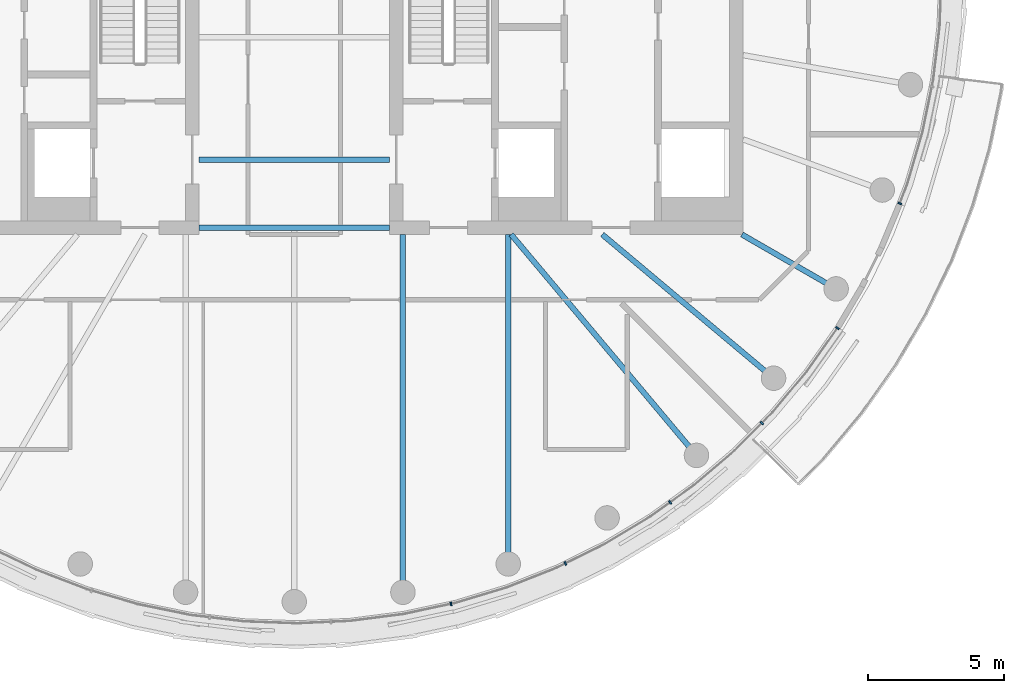
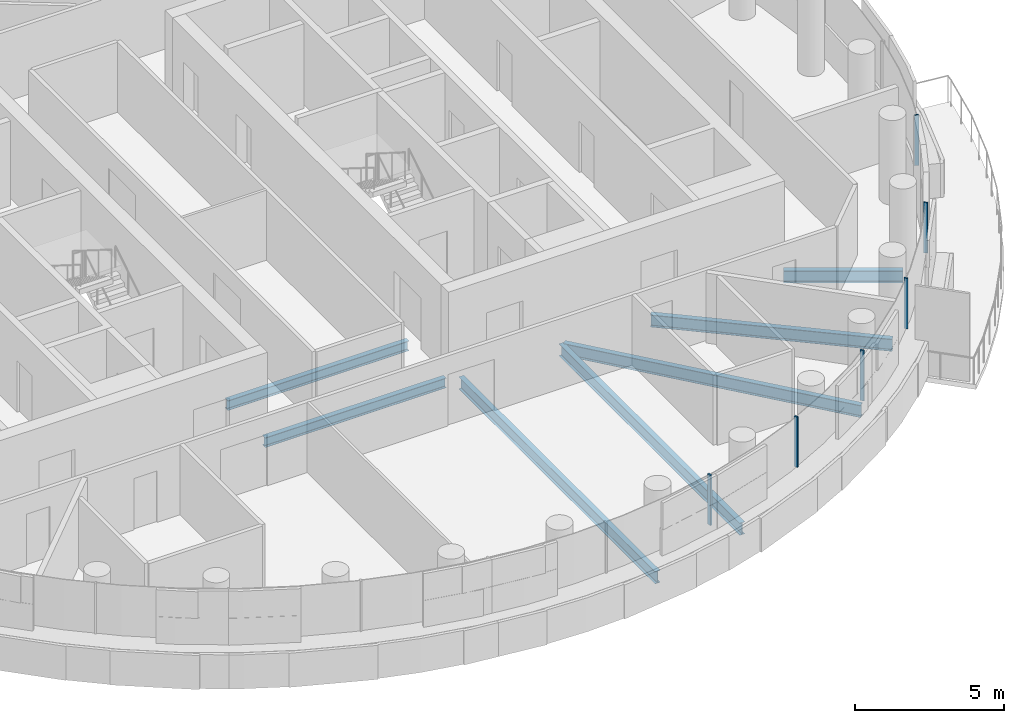
# One storey, part 7 of 27: 7 beams, 6 members, 1 element without a shape of its own.
"""IFC4 building model written with IfcOpenShell, lengths in metres."""

from ifc_helpers import new_model, si_unit, direction, frame, origin, origin_2d, place, context, subcontext, project, spatial, rectangle, i_section, extrude, material, layer, layer_set, material_profile, profile_set, type_object, element, aggregate, save


model = new_model("IFC4")

# Units and contexts
model_context = context("Model", 3, precision=1e-05, world=origin(), true_north=direction((0.0, 1.0)))
body_context = subcontext(model_context, "Body", "Model", "MODEL_VIEW")
ifc_project = project(units=[si_unit("LENGTHUNIT", "METRE"), si_unit("AREAUNIT", "SQUARE_METRE"), si_unit("VOLUMEUNIT", "CUBIC_METRE"), si_unit("PLANEANGLEUNIT", "RADIAN"), si_unit("MASSUNIT", "GRAM", prefix="KILO")], contexts=[model_context])

# Site, building, storey
site_placement = place(None, origin())
site = spatial("IfcSite", under=ifc_project, at=site_placement, CompositionType="ELEMENT")
building_placement = place(site_placement, origin())
building = spatial("IfcBuilding", under=site, at=building_placement, Name="Tamarind Cross Interchange Tower", CompositionType="ELEMENT")
storey_placement = place(building_placement, frame((0.0, 0.0, 241.5)))
storey = spatial("IfcBuildingStorey", under=building, at=storey_placement, Name="L61", CompositionType="ELEMENT", Elevation=241.5)

# Beams
ifc_material_1 = material(Name="Steel Q355B", Category="steel")
ifc_material_profile_1 = material_profile(ifc_material_1, i_section(OverallWidth=0.199951171875, OverallDepth=0.39990234375, WebThickness=0.008056640625, FlangeThickness=0.012939453125, FilletRadius=0.01611328125, at=origin_2d()), Name="HN 400x200x8x13")
ifc_profile_set_1 = profile_set([ifc_material_profile_1], Name="Steel Q355B")
beam_type_1 = type_object("IfcBeamType", Name="Composite beam HN 400x200x8x13 Q355B", PredefinedType="BEAM", material=ifc_profile_set_1)
for number, where, z_axis, x_axis, name in (
    (1, (-3.5, -6.75, -0.340087890625), (1.0, 0.0, 0.0), (0.0, 1.0, 0.0), "Beam G-6.75"),
    (2, (-3.5, -9.25, -0.340087890625), (1.0, 0.0, 0.0), (0.0, 1.0, 0.0), "Beam G-9.25"),
):
    element("IfcBeam", number, at=place(storey_placement, frame(where, z_axis=z_axis, x_axis=x_axis)), inside=storey, type_object=beam_type_1, Name=name, PredefinedType="BEAM", context=body_context, shape_type="SweptSolid", body=[
        extrude(i_section(OverallWidth=0.199951171875, OverallDepth=0.39990234375, WebThickness=0.008056640625, FlangeThickness=0.012939453125, FilletRadius=0.01611328125, at=origin_2d()), origin(), (0.0, 0.0, 1.0), 7.0),
    ])
ifc_material_profile_2 = material_profile(ifc_material_1, i_section(OverallWidth=0.198974609375, OverallDepth=0.49609375, WebThickness=0.009033203125, FlangeThickness=0.013916015625, FilletRadius=0.012939453125, at=origin_2d()), Name="HN 496x199x9x14")
ifc_profile_set_2 = profile_set([ifc_material_profile_2], Name="Steel Q355B")
beam_type_2 = type_object("IfcBeamType", Name="Composite beam HN 496x199x9x14 Q355B", PredefinedType="BEAM", material=ifc_profile_set_2)
beam_1_placement = place(storey_placement, frame((3.993896484375, -22.650634765625, -0.387939453125), z_axis=(0.0, 1.0, 0.0), x_axis=(-1.0, 0.0, 0.0)))
element("IfcBeam", 3, at=beam_1_placement, inside=storey, type_object=beam_type_2, Name="Beam HH28", PredefinedType="BEAM", context=body_context, shape_type="SweptSolid", body=[
    extrude(i_section(OverallWidth=0.198974609375, OverallDepth=0.49609375, WebThickness=0.009033203125, FlangeThickness=0.013916015625, FilletRadius=0.012939453125, at=origin_2d()), origin(), (0.0, 0.0, 1.0), 13.150634765625),
])
beam_2_placement = place(storey_placement, frame((7.866455078125, -21.613037109375, -0.387939453125), z_axis=(0.0, 1.0, 0.0), x_axis=(-1.0, 0.0, 0.0)))
element("IfcBeam", 4, at=beam_2_placement, inside=storey, type_object=beam_type_2, Name="Beam HH29", PredefinedType="BEAM", context=body_context, shape_type="SweptSolid", body=[
    extrude(i_section(OverallWidth=0.198974609375, OverallDepth=0.49609375, WebThickness=0.009033203125, FlangeThickness=0.013916015625, FilletRadius=0.012939453125, at=origin_2d()), origin(), (0.0, 0.0, 1.0), 12.113037109375),
])
beam_3_placement = place(storey_placement, frame((14.7841796875, -17.619140625, -0.387939453125), z_axis=(-0.642786293979, 0.766045547127, 0.0), x_axis=(-0.766045547127, -0.642786293979, 0.0)))
element("IfcBeam", 5, at=beam_3_placement, inside=storey, type_object=beam_type_2, Name="Beam HH31", PredefinedType="BEAM", context=body_context, shape_type="SweptSolid", body=[
    extrude(i_section(OverallWidth=0.198974609375, OverallDepth=0.49609375, WebThickness=0.009033203125, FlangeThickness=0.013916015625, FilletRadius=0.012939453125, at=origin_2d()), origin(), (0.0, 0.0, 1.0), 10.598876953125),
])
beam_4_placement = place(storey_placement, frame((17.619140625, -14.7841796875, -0.387939453125), z_axis=(-0.766040580814, 0.642792212574, 0.0), x_axis=(-0.642792212574, -0.766040580814, 0.0)))
element("IfcBeam", 6, at=beam_4_placement, inside=storey, type_object=beam_type_2, Name="Beam HH32", PredefinedType="BEAM", context=body_context, shape_type="SweptSolid", body=[
    extrude(i_section(OverallWidth=0.198974609375, OverallDepth=0.49609375, WebThickness=0.009033203125, FlangeThickness=0.013916015625, FilletRadius=0.012939453125, at=origin_2d()), origin(), (0.0, 0.0, 1.0), 8.220703125),
])
beam_5_placement = place(storey_placement, frame((19.918701171875, -11.5, -0.387939453125), z_axis=(-0.866026010844, 0.49999894854, 0.0), x_axis=(-0.49999894854, -0.866026010844, 0.0)))
element("IfcBeam", 7, at=beam_5_placement, inside=storey, type_object=beam_type_2, Name="Beam HH33", PredefinedType="BEAM", context=body_context, shape_type="SweptSolid", body=[
    extrude(i_section(OverallWidth=0.198974609375, OverallDepth=0.49609375, WebThickness=0.009033203125, FlangeThickness=0.013916015625, FilletRadius=0.012939453125, at=origin_2d()), origin(), (0.0, 0.0, 1.0), 4.0),
])

# Curtain wall, members
ifc_material_2 = material(Name="Aluminium 6063-T6", Category="aluminium")
ifc_layer = layer(ifc_material_2, 0.139892578125)
ifc_layer_set = layer_set([ifc_layer], Name="Aluminium 6063-T6")
curtain_wall_type = type_object("IfcCurtainWallType", Name="Hotel curtain wall, 4.5 m bays", PredefinedType="NOTDEFINED", material=ifc_layer_set)
curtain_wall_placement = place(storey_placement, origin())
curtain_wall = element("IfcCurtainWall", 8, at=curtain_wall_placement, inside=storey, type_object=curtain_wall_type, Name="CWS-L61-02", PredefinedType="NOTDEFINED")
ifc_material_profile_3 = material_profile(ifc_material_2, rectangle(XDim=0.06005859375, YDim=0.139892578125, at=origin_2d()), Name="Mullion CW2")
ifc_profile_set_3 = profile_set([ifc_material_profile_3], Name="Aluminium 6063-T6")
member_type = type_object("IfcMemberType", Name="Mullion CW2", PredefinedType="MULLION", material=ifc_profile_set_3)
member_1_placement = place(storey_placement, frame((5.76171875, -23.08056640625, 1.39990234375), z_axis=(0.0, 0.0, 1.0), x_axis=(0.977824623121, 0.209425419705, 0.0)))
member_1 = element("IfcMember", 9, at=member_1_placement, type_object=member_type, Name="CWM-L61-02-07", PredefinedType="MULLION", context=body_context, shape_type="SweptSolid", body=[
    extrude(rectangle(XDim=0.06005859375, YDim=0.139892578125, at=origin_2d()), origin(), (0.0, 0.0, 1.0), 2.06005859375),
])
member_2_placement = place(storey_placement, frame((9.96630859375, -21.594970703125, 1.39990234375), z_axis=(0.0, 0.0, 1.0), x_axis=(0.896492548518, 0.443058811505, 0.0)))
member_2 = element("IfcMember", 10, at=member_2_placement, type_object=member_type, Name="CWM-L61-02-08", PredefinedType="MULLION", context=body_context, shape_type="SweptSolid", body=[
    extrude(rectangle(XDim=0.06005859375, YDim=0.139892578125, at=origin_2d()), origin(), (0.0, 0.0, 1.0), 2.06005859375),
])
member_3_placement = place(storey_placement, frame((13.81787109375, -19.34814453125, 1.39990234375), z_axis=(0.0, 0.0, 1.0), x_axis=(0.811340475102, 0.584573890505, 0.0)))
member_3 = element("IfcMember", 11, at=member_3_placement, type_object=member_type, Name="CWM-L61-02-09", PredefinedType="MULLION", context=body_context, shape_type="SweptSolid", body=[
    extrude(rectangle(XDim=0.06005859375, YDim=0.139892578125, at=origin_2d()), origin(), (0.0, 0.0, 1.0), 2.06005859375),
])
member_4_placement = place(storey_placement, frame((17.189697265625, -16.430908203125, 1.39990234375), z_axis=(0.0, 0.0, 1.0), x_axis=(0.704057148523, 0.710143317658, 0.0)))
member_4 = element("IfcMember", 12, at=member_4_placement, type_object=member_type, Name="CWM-L61-02-10", PredefinedType="MULLION", context=body_context, shape_type="SweptSolid", body=[
    extrude(rectangle(XDim=0.06005859375, YDim=0.139892578125, at=origin_2d()), origin(), (0.0, 0.0, 1.0), 2.06005859375),
])
member_5_placement = place(storey_placement, frame((19.968017578125, -12.94189453125, 1.39990234375), z_axis=(0.0, 0.0, 1.0), x_axis=(0.577568978284, 0.816341886298, 0.0)))
member_5 = element("IfcMember", 13, at=member_5_placement, type_object=member_type, Name="CWM-L61-02-11", PredefinedType="MULLION", context=body_context, shape_type="SweptSolid", body=[
    extrude(rectangle(XDim=0.06005859375, YDim=0.139892578125, at=origin_2d()), origin(), (0.0, 0.0, 1.0), 2.06005859375),
])
member_6_placement = place(storey_placement, frame((22.25830078125, -8.359375, 1.39990234375), z_axis=(0.0, 0.0, 1.0), x_axis=(0.359495435512, 0.933146843667, 0.0)))
member_6 = element("IfcMember", 14, at=member_6_placement, type_object=member_type, Name="CWM-L61-02-12", PredefinedType="MULLION", context=body_context, shape_type="SweptSolid", body=[
    extrude(rectangle(XDim=0.06005859375, YDim=0.139892578125, at=origin_2d()), origin(), (0.0, 0.0, 1.0), 2.06005859375),
])
aggregate(curtain_wall, [member_1, member_2, member_3, member_4, member_5, member_6])

save(model, "model.ifc")
